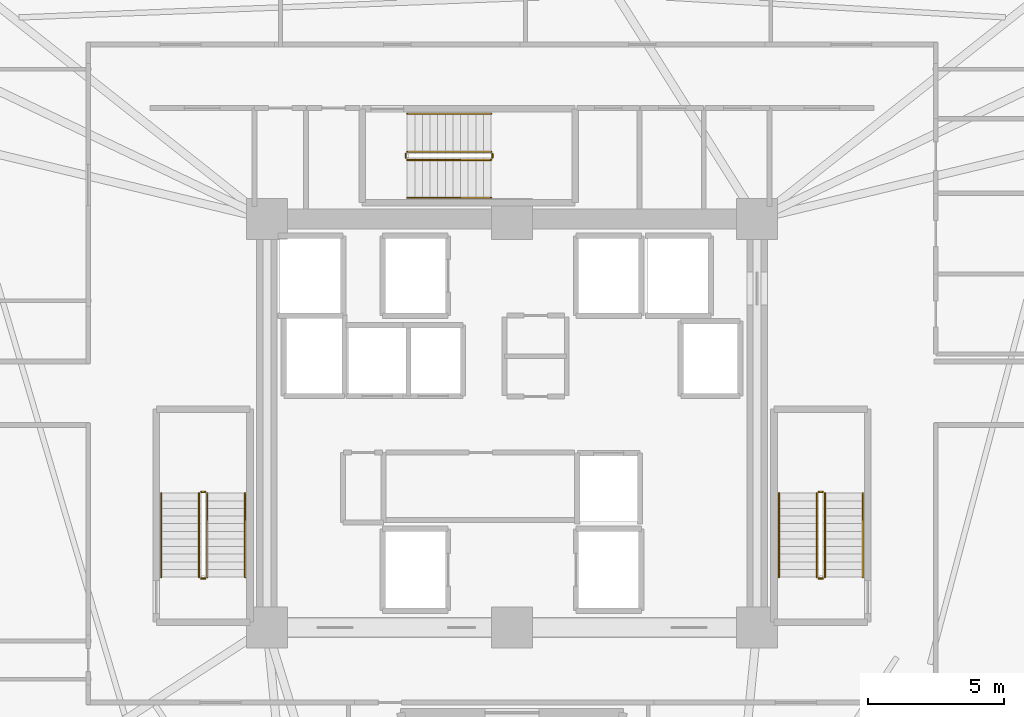
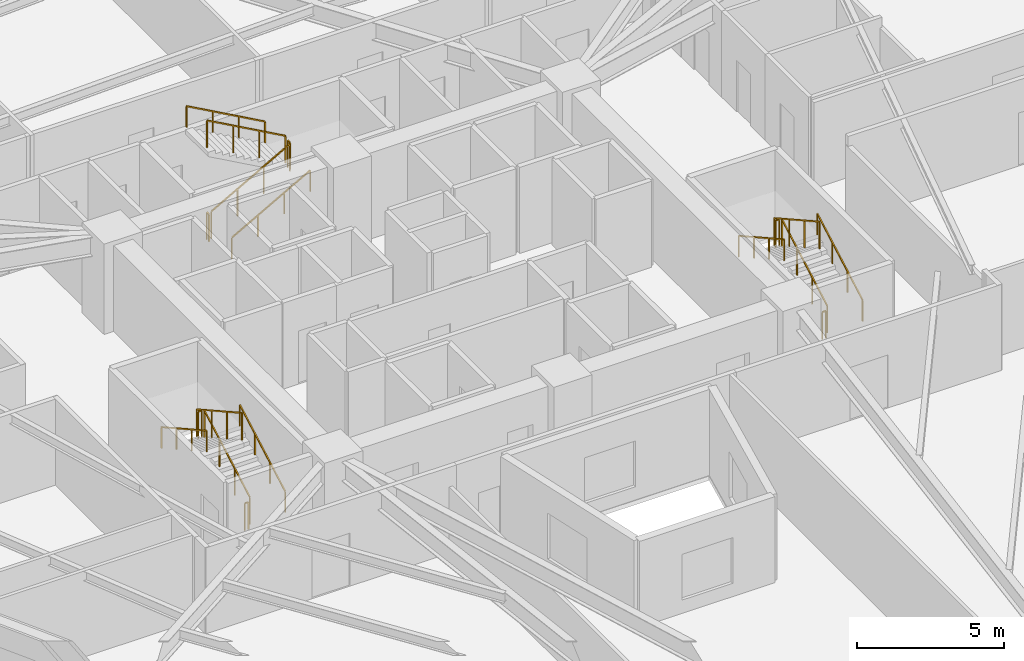
# One storey, part 9 of 9: 18 railings.
"""IFC4 building model written with IfcOpenShell, lengths in metres."""

import ifcopenshell
import ifcopenshell.guid

model = None  # the IFC model being written
_history = None  # IfcOwnerHistory: only IFC2X3 demands one
_inside = {}  # id of a spatial element -> (the spatial element, [elements in it])
_under = {}  # id of a project, library or spatial element -> (it, [spatial elements below it])
_declared = {}  # id of a project -> (the project, [libraries it declares])
_typed = {}  # id of a type object -> (the type object, [elements of that type])
_made_of = {}  # id of a material, layer set ... -> (it, [elements and type objects made of it])


def new_model(schema):
    """Start an empty IFC model of exactly this schema.

    Asked for "IFC4X3", IfcOpenShell would pick the latest addendum, in which some entities
    have other attributes; the version numbers below select the first issue.
    IFC2X3 requires an IfcOwnerHistory on every rooted entity: one is made here for all.
    """
    global model, _history
    if schema == "IFC4X3":
        model = ifcopenshell.file(schema_version=(4, 3, 0, 0))
    else:
        model = ifcopenshell.file(schema=schema)
    _inside.clear()
    _under.clear()
    _declared.clear()
    _typed.clear()
    _made_of.clear()
    _history = None
    if model.schema == "IFC2X3":
        org = make("IfcOrganization", Name="unknown")
        user = make(
            "IfcPersonAndOrganization",
            ThePerson=make("IfcPerson", FamilyName="unknown"),
            TheOrganization=org,
        )
        app = make(
            "IfcApplication",
            ApplicationDeveloper=org,
            Version="unknown",
            ApplicationFullName="unknown",
            ApplicationIdentifier="unknown",
        )
        _history = make(
            "IfcOwnerHistory",
            OwningUser=user,
            OwningApplication=app,
            ChangeAction="ADDED",
            CreationDate=0,
        )
    return model


def make(cls, **values):
    """One entity of the class cls with the attributes given. An attribute that is None is left unset."""
    return model.create_entity(
        cls, **{name: value for name, value in values.items() if value is not None}
    )


def rooted(cls, **values):
    """An entity with a GlobalId (a new one), such as an element, a storey or a relation."""
    return make(cls, GlobalId=ifcopenshell.guid.new(), OwnerHistory=_history, **values)


def si_unit(unit_type, name, prefix=None):
    """IfcSIUnit, for example si_unit("LENGTHUNIT", "METRE", prefix="MILLI")."""
    return make("IfcSIUnit", UnitType=unit_type, Prefix=prefix, Name=name)


def assignment(units):
    """IfcUnitAssignment: the units of a project."""
    return None if units is None else make("IfcUnitAssignment", Units=units)


def point(xyz):
    """IfcCartesianPoint."""
    return None if xyz is None else make("IfcCartesianPoint", Coordinates=xyz)


def direction(xyz):
    """IfcDirection."""
    return None if xyz is None else make("IfcDirection", DirectionRatios=xyz)


def frame(location, z_axis=None, x_axis=None):
    """IfcAxis2Placement3D, a coordinate frame: its origin and axes. An axis left out is left unset."""
    return make(
        "IfcAxis2Placement3D",
        Location=point(location),
        Axis=direction(z_axis),
        RefDirection=direction(x_axis),
    )


def frame_2d(location, x_axis=None):
    """IfcAxis2Placement2D, a coordinate frame in the plane: its origin and x axis."""
    return make(
        "IfcAxis2Placement2D", Location=point(location), RefDirection=direction(x_axis)
    )


def origin():
    """The frame at (0, 0, 0) with its axes left unset."""
    return frame((0.0, 0.0, 0.0))


def origin_2d():
    """The frame at (0, 0) in the plane with its x axis left unset."""
    return frame_2d((0.0, 0.0))


def place(relative_to, where):
    """IfcLocalPlacement: puts the frame where relative to a parent placement (None: the world)."""
    return make(
        "IfcLocalPlacement", PlacementRelTo=relative_to, RelativePlacement=where
    )


def context(
    kind, dimensions, precision=None, world=None, true_north=None, identifier=None
):
    """IfcGeometricRepresentationContext, for example the 3D "Model" context."""
    return make(
        "IfcGeometricRepresentationContext",
        ContextIdentifier=identifier,
        ContextType=kind,
        CoordinateSpaceDimension=dimensions,
        Precision=precision,
        WorldCoordinateSystem=world,
        TrueNorth=true_north,
    )


def subcontext(parent, identifier, kind, view, scale=None):
    """IfcGeometricRepresentationSubContext, for example "Body" below "Model"."""
    return make(
        "IfcGeometricRepresentationSubContext",
        ContextIdentifier=identifier,
        ContextType=kind,
        ParentContext=parent,
        TargetScale=scale,
        TargetView=view,
    )


def project(units=None, contexts=None):
    """IfcProject with its units and contexts."""
    return rooted(
        "IfcProject",
        Name="project",
        RepresentationContexts=contexts,
        UnitsInContext=assignment(units),
    )


def spatial(cls, under=None, at=None, **own):
    """A site, building, storey or space (cls), placed at a placement, below another one or the project."""
    s = rooted(cls, ObjectPlacement=at, **own)
    if under is not None:
        _under.setdefault(under.id(), (under, []))[1].append(s)
    return s


def profile(cls, at=None, kind="AREA", **sizes):
    """A parametric profile (cls). Its sizes go by their IFC names, for example OverallWidth=200.0."""
    return make(cls, ProfileType=kind, Position=at, **sizes)


def rectangle(**sizes):
    """IfcRectangleProfileDef."""
    return profile("IfcRectangleProfileDef", **sizes)


def extrude(swept, where, along, depth):
    """IfcExtrudedAreaSolid: the profile swept, set in the frame where, extruded along a direction by depth."""
    return make(
        "IfcExtrudedAreaSolid",
        SweptArea=swept,
        Position=where,
        ExtrudedDirection=direction(along),
        Depth=depth,
    )


def shape(context_of_items, identifier, shape_type, items):
    """IfcShapeRepresentation: the items that make up one representation, for example the "Body"."""
    return make(
        "IfcShapeRepresentation",
        ContextOfItems=context_of_items,
        RepresentationIdentifier=identifier,
        RepresentationType=shape_type,
        Items=items,
    )


def material(Name=None, Category=None):
    """IfcMaterial."""
    return make("IfcMaterial", Name=Name, Category=Category)


def made_of(thing, what):
    """Note that an element or type object is made of a material, layer set ...; save() writes the relation."""
    if what is not None:
        _made_of.setdefault(what.id(), (what, []))[1].append(thing)
    return thing


def type_object(cls, material=None, **own):
    """A type object (cls), such as IfcWallType, which elements share."""
    return made_of(rooted(cls, **own), material)


def element(
    cls,
    number,
    at=None,
    inside=None,
    cuts=None,
    type_object=None,
    material=None,
    context=None,
    identifier="Body",
    shape_type=None,
    held_by="IfcProductDefinitionShape",
    body=None,
    shapes=None,
    **own,
):
    """One element of the class cls, such as IfcWall. Its Tag is "e" and its number.

    at: its placement. inside: the storey or other place that contains it. cuts: it is an
    opening in that element (IfcRelVoidsElement). A single representation is given by context,
    identifier, shape_type and body (its items); several are given by shapes. held_by: the class
    of the entity that holds the representations. save() writes the other relations.
    """
    e = rooted(cls, Tag="e%d" % number, ObjectPlacement=at, **own)
    if body is not None:
        shapes = [shape(context, identifier, shape_type, body)]
    if shapes is not None:
        e.Representation = make(held_by, Representations=shapes)
    if inside is not None:
        _inside.setdefault(inside.id(), (inside, []))[1].append(e)
    if cuts is not None:
        rooted(
            "IfcRelVoidsElement", RelatingBuildingElement=cuts, RelatedOpeningElement=e
        )
    if type_object is not None:
        _typed.setdefault(type_object.id(), (type_object, []))[1].append(e)
    return made_of(e, material)


def aggregate(whole, parts):
    """IfcRelAggregates: a whole, such as a stair, and the parts it consists of."""
    return rooted("IfcRelAggregates", RelatingObject=whole, RelatedObjects=parts)


def save(model, path):
    """Write the relations noted so far, then the file.

    IfcRelAggregates (storeys below a building ...), IfcRelContainedInSpatialStructure (elements
    in a storey), IfcRelDefinesByType, IfcRelAssociatesMaterial and IfcRelDeclares: one each for
    every whole, place, type object, material and project.
    """
    for whole, parts in _under.values():
        aggregate(whole, parts)
    for where, things in _inside.values():
        rooted(
            "IfcRelContainedInSpatialStructure",
            RelatedElements=things,
            RelatingStructure=where,
        )
    for kind, things in _typed.values():
        rooted("IfcRelDefinesByType", RelatedObjects=things, RelatingType=kind)
    for what, things in _made_of.values():
        rooted("IfcRelAssociatesMaterial", RelatedObjects=things, RelatingMaterial=what)
    for by, libraries in _declared.values():
        rooted("IfcRelDeclares", RelatingContext=by, RelatedDefinitions=libraries)
    model.write(path)


model = new_model("IFC4")

# Units and contexts
model_context = context("Model", 3, precision=1e-05, world=origin(), true_north=direction((0.0, 1.0)))
body_context = subcontext(model_context, "Body", "Model", "MODEL_VIEW")
ifc_project = project(units=[si_unit("LENGTHUNIT", "METRE"), si_unit("AREAUNIT", "SQUARE_METRE"), si_unit("VOLUMEUNIT", "CUBIC_METRE"), si_unit("PLANEANGLEUNIT", "RADIAN"), si_unit("MASSUNIT", "GRAM", prefix="KILO")], contexts=[model_context])

# Site, building, storey
site_placement = place(None, origin())
site = spatial("IfcSite", under=ifc_project, at=site_placement, CompositionType="ELEMENT")
building_placement = place(site_placement, origin())
building = spatial("IfcBuilding", under=site, at=building_placement, Name="Liaohun Quay Tower", CompositionType="ELEMENT")
storey_placement = place(building_placement, frame((0.0, 0.0, 128.25)))
storey = spatial("IfcBuildingStorey", under=building, at=storey_placement, Name="L33", CompositionType="ELEMENT", Elevation=128.25)

# Railings
ifc_material_1 = material(Name="Painted tubular steel", Category="steel")
railing_type_1 = type_object("IfcRailingType", Name="RLG-GUARD-STR", PredefinedType="GUARDRAIL", material=ifc_material_1)
railing_1_placement = place(storey_placement, frame((48.81005859375, 48.35009765625, 0.15625)))
element("IfcRailing", 1, at=railing_1_placement, inside=storey, type_object=railing_type_1, Name="L33 ST-1 stair guard 1", PredefinedType="GUARDRAIL", context=body_context, shape_type="SweptSolid", body=[
    extrude(rectangle(XDim=0.048095703125, YDim=0.048095703125, at=origin_2d()), frame((0.0, 0.0, 1.1259765625), z_axis=(0.0, 0.873225103656, 0.487317061414), x_axis=(-1.0, 0.0, 0.0)), (0.0, 0.0, 1.0), 3.52685546875),
    extrude(rectangle(XDim=0.0419921875, YDim=0.0419921875, at=origin_2d()), origin(), (0.0, 0.0, 1.0), 1.101806640625),
    extrude(rectangle(XDim=0.0419921875, YDim=0.0419921875, at=origin_2d()), frame((0.0, 1.026611328125, 0.572998046875)), (0.0, 0.0, 1.0), 1.101806640625),
    extrude(rectangle(XDim=0.0419921875, YDim=0.0419921875, at=origin_2d()), frame((0.0, 2.05322265625, 1.145751953125)), (0.0, 0.0, 1.0), 1.101806640625),
    extrude(rectangle(XDim=0.0419921875, YDim=0.0419921875, at=origin_2d()), frame((0.0, 3.079833984375, 1.71875)), (0.0, 0.0, 1.0), 1.101806640625),
])
railing_2_placement = place(storey_placement, frame((48.72998046875, 51.47998046875, 1.875)))
element("IfcRailing", 2, at=railing_2_placement, inside=storey, type_object=railing_type_1, Name="L33 ST-1 stair guard 2", PredefinedType="GUARDRAIL", context=body_context, shape_type="SweptSolid", body=[
    extrude(rectangle(XDim=0.048095703125, YDim=0.048095703125, at=origin_2d()), frame((0.0, 0.0, 1.1259765625), z_axis=(-1.0, 0.0, 0.0), x_axis=(0.0, -1.0, 0.0)), (0.0, 0.0, 1.0), 0.139892578125),
    extrude(rectangle(XDim=0.0419921875, YDim=0.0419921875, at=origin_2d()), origin(), (0.0, 0.0, 1.0), 1.101806640625),
    extrude(rectangle(XDim=0.0419921875, YDim=0.0419921875, at=origin_2d()), frame((-0.139892578125, 0.0, 0.0)), (0.0, 0.0, 1.0), 1.101806640625),
])
railing_3_placement = place(storey_placement, frame((48.510009765625, 51.429931640625, 2.03125)))
element("IfcRailing", 3, at=railing_3_placement, inside=storey, type_object=railing_type_1, Name="L33 ST-1 stair guard 3", PredefinedType="GUARDRAIL", context=body_context, shape_type="SweptSolid", body=[
    extrude(rectangle(XDim=0.048095703125, YDim=0.048095703125, at=origin_2d()), frame((0.0, 0.0, 1.1259765625), z_axis=(0.0, -0.873225103656, 0.487317061414), x_axis=(1.0, 0.0, 0.0)), (0.0, 0.0, 1.0), 3.52685546875),
    extrude(rectangle(XDim=0.0419921875, YDim=0.0419921875, at=origin_2d()), origin(), (0.0, 0.0, 1.0), 1.101806640625),
    extrude(rectangle(XDim=0.0419921875, YDim=0.0419921875, at=origin_2d()), frame((0.0, -1.026611328125, 0.572998046875)), (0.0, 0.0, 1.0), 1.101806640625),
    extrude(rectangle(XDim=0.0419921875, YDim=0.0419921875, at=origin_2d()), frame((0.0, -2.05322265625, 1.145751953125)), (0.0, 0.0, 1.0), 1.101806640625),
    extrude(rectangle(XDim=0.0419921875, YDim=0.0419921875, at=origin_2d()), frame((0.0, -3.079833984375, 1.71875)), (0.0, 0.0, 1.0), 1.101806640625),
])
railing_4_placement = place(storey_placement, frame((48.72998046875, 48.300048828125, 0.0)))
element("IfcRailing", 4, at=railing_4_placement, inside=storey, type_object=railing_type_1, Name="L33 ST-1 stair guard 4", PredefinedType="GUARDRAIL", context=body_context, shape_type="SweptSolid", body=[
    extrude(rectangle(XDim=0.048095703125, YDim=0.048095703125, at=origin_2d()), frame((0.0, 0.0, 1.1259765625), z_axis=(-1.0, 0.0, 0.0), x_axis=(0.0, -1.0, 0.0)), (0.0, 0.0, 1.0), 0.139892578125),
    extrude(rectangle(XDim=0.0419921875, YDim=0.0419921875, at=origin_2d()), origin(), (0.0, 0.0, 1.0), 1.101806640625),
    extrude(rectangle(XDim=0.0419921875, YDim=0.0419921875, at=origin_2d()), frame((-0.139892578125, 0.0, 0.0)), (0.0, 0.0, 1.0), 1.101806640625),
])
railing_5_placement = place(storey_placement, frame((71.489990234375, 48.35009765625, 0.15625)))
element("IfcRailing", 5, at=railing_5_placement, inside=storey, type_object=railing_type_1, Name="L33 ST-2 stair guard 1", PredefinedType="GUARDRAIL", context=body_context, shape_type="SweptSolid", body=[
    extrude(rectangle(XDim=0.048095703125, YDim=0.048095703125, at=origin_2d()), frame((0.0, 0.0, 1.1259765625), z_axis=(0.0, 0.873225103656, 0.487317061414), x_axis=(-1.0, 0.0, 0.0)), (0.0, 0.0, 1.0), 3.52685546875),
    extrude(rectangle(XDim=0.0419921875, YDim=0.0419921875, at=origin_2d()), origin(), (0.0, 0.0, 1.0), 1.101806640625),
    extrude(rectangle(XDim=0.0419921875, YDim=0.0419921875, at=origin_2d()), frame((0.0, 1.026611328125, 0.572998046875)), (0.0, 0.0, 1.0), 1.101806640625),
    extrude(rectangle(XDim=0.0419921875, YDim=0.0419921875, at=origin_2d()), frame((0.0, 2.05322265625, 1.145751953125)), (0.0, 0.0, 1.0), 1.101806640625),
    extrude(rectangle(XDim=0.0419921875, YDim=0.0419921875, at=origin_2d()), frame((0.0, 3.079833984375, 1.71875)), (0.0, 0.0, 1.0), 1.101806640625),
])
railing_6_placement = place(storey_placement, frame((71.409912109375, 51.47998046875, 1.875)))
element("IfcRailing", 6, at=railing_6_placement, inside=storey, type_object=railing_type_1, Name="L33 ST-2 stair guard 2", PredefinedType="GUARDRAIL", context=body_context, shape_type="SweptSolid", body=[
    extrude(rectangle(XDim=0.048095703125, YDim=0.048095703125, at=origin_2d()), frame((0.0, 0.0, 1.1259765625), z_axis=(-1.0, 0.0, 0.0), x_axis=(0.0, -1.0, 0.0)), (0.0, 0.0, 1.0), 0.139892578125),
    extrude(rectangle(XDim=0.0419921875, YDim=0.0419921875, at=origin_2d()), origin(), (0.0, 0.0, 1.0), 1.101806640625),
    extrude(rectangle(XDim=0.0419921875, YDim=0.0419921875, at=origin_2d()), frame((-0.139892578125, 0.0, 0.0)), (0.0, 0.0, 1.0), 1.101806640625),
])
railing_7_placement = place(storey_placement, frame((71.18994140625, 51.429931640625, 2.03125)))
element("IfcRailing", 7, at=railing_7_placement, inside=storey, type_object=railing_type_1, Name="L33 ST-2 stair guard 3", PredefinedType="GUARDRAIL", context=body_context, shape_type="SweptSolid", body=[
    extrude(rectangle(XDim=0.048095703125, YDim=0.048095703125, at=origin_2d()), frame((0.0, 0.0, 1.1259765625), z_axis=(0.0, -0.873225103656, 0.487317061414), x_axis=(1.0, 0.0, 0.0)), (0.0, 0.0, 1.0), 3.52685546875),
    extrude(rectangle(XDim=0.0419921875, YDim=0.0419921875, at=origin_2d()), origin(), (0.0, 0.0, 1.0), 1.101806640625),
    extrude(rectangle(XDim=0.0419921875, YDim=0.0419921875, at=origin_2d()), frame((0.0, -1.026611328125, 0.572998046875)), (0.0, 0.0, 1.0), 1.101806640625),
    extrude(rectangle(XDim=0.0419921875, YDim=0.0419921875, at=origin_2d()), frame((0.0, -2.05322265625, 1.145751953125)), (0.0, 0.0, 1.0), 1.101806640625),
    extrude(rectangle(XDim=0.0419921875, YDim=0.0419921875, at=origin_2d()), frame((0.0, -3.079833984375, 1.71875)), (0.0, 0.0, 1.0), 1.101806640625),
])
railing_8_placement = place(storey_placement, frame((71.409912109375, 48.300048828125, 0.0)))
element("IfcRailing", 8, at=railing_8_placement, inside=storey, type_object=railing_type_1, Name="L33 ST-2 stair guard 4", PredefinedType="GUARDRAIL", context=body_context, shape_type="SweptSolid", body=[
    extrude(rectangle(XDim=0.048095703125, YDim=0.048095703125, at=origin_2d()), frame((0.0, 0.0, 1.1259765625), z_axis=(-1.0, 0.0, 0.0), x_axis=(0.0, -1.0, 0.0)), (0.0, 0.0, 1.0), 0.139892578125),
    extrude(rectangle(XDim=0.0419921875, YDim=0.0419921875, at=origin_2d()), origin(), (0.0, 0.0, 1.0), 1.101806640625),
    extrude(rectangle(XDim=0.0419921875, YDim=0.0419921875, at=origin_2d()), frame((-0.139892578125, 0.0, 0.0)), (0.0, 0.0, 1.0), 1.101806640625),
])
railing_9_placement = place(storey_placement, frame((56.14990234375, 63.669921875, 0.15625)))
element("IfcRailing", 9, at=railing_9_placement, inside=storey, type_object=railing_type_1, Name="L33 ST-3 stair guard 1", PredefinedType="GUARDRAIL", context=body_context, shape_type="SweptSolid", body=[
    extrude(rectangle(XDim=0.048095703125, YDim=0.048095703125, at=origin_2d()), frame((0.0, 0.0, 1.1259765625), z_axis=(0.873241540666, 0.0, 0.487287606713), x_axis=(0.0, 1.0, 0.0)), (0.0, 0.0, 1.0), 3.527099609375),
    extrude(rectangle(XDim=0.0419921875, YDim=0.0419921875, at=origin_2d()), origin(), (0.0, 0.0, 1.0), 1.101806640625),
    extrude(rectangle(XDim=0.0419921875, YDim=0.0419921875, at=origin_2d()), frame((1.026611328125, 0.0, 0.572998046875)), (0.0, 0.0, 1.0), 1.101806640625),
    extrude(rectangle(XDim=0.0419921875, YDim=0.0419921875, at=origin_2d()), frame((2.053466796875, 0.0, 1.145751953125)), (0.0, 0.0, 1.0), 1.101806640625),
    extrude(rectangle(XDim=0.0419921875, YDim=0.0419921875, at=origin_2d()), frame((3.080078125, 0.0, 1.71875)), (0.0, 0.0, 1.0), 1.101806640625),
])
railing_10_placement = place(storey_placement, frame((59.280029296875, 63.75, 1.875)))
element("IfcRailing", 10, at=railing_10_placement, inside=storey, type_object=railing_type_1, Name="L33 ST-3 stair guard 2", PredefinedType="GUARDRAIL", context=body_context, shape_type="SweptSolid", body=[
    extrude(rectangle(XDim=0.048095703125, YDim=0.048095703125, at=origin_2d()), frame((0.0, 0.0, 1.1259765625), z_axis=(0.0, 1.0, 0.0), x_axis=(-1.0, 0.0, 0.0)), (0.0, 0.0, 1.0), 0.139892578125),
    extrude(rectangle(XDim=0.0419921875, YDim=0.0419921875, at=origin_2d()), origin(), (0.0, 0.0, 1.0), 1.101806640625),
    extrude(rectangle(XDim=0.0419921875, YDim=0.0419921875, at=origin_2d()), frame((0.0, 0.139892578125, 0.0)), (0.0, 0.0, 1.0), 1.101806640625),
])
railing_11_placement = place(storey_placement, frame((59.22998046875, 63.969970703125, 2.03125)))
element("IfcRailing", 11, at=railing_11_placement, inside=storey, type_object=railing_type_1, Name="L33 ST-3 stair guard 3", PredefinedType="GUARDRAIL", context=body_context, shape_type="SweptSolid", body=[
    extrude(rectangle(XDim=0.048095703125, YDim=0.048095703125, at=origin_2d()), frame((0.0, 0.0, 1.1259765625), z_axis=(-0.873241540666, 0.0, 0.487287606713), x_axis=(0.0, -1.0, 0.0)), (0.0, 0.0, 1.0), 3.527099609375),
    extrude(rectangle(XDim=0.0419921875, YDim=0.0419921875, at=origin_2d()), origin(), (0.0, 0.0, 1.0), 1.101806640625),
    extrude(rectangle(XDim=0.0419921875, YDim=0.0419921875, at=origin_2d()), frame((-1.026611328125, 0.0, 0.572998046875)), (0.0, 0.0, 1.0), 1.101806640625),
    extrude(rectangle(XDim=0.0419921875, YDim=0.0419921875, at=origin_2d()), frame((-2.053466796875, 0.0, 1.145751953125)), (0.0, 0.0, 1.0), 1.101806640625),
    extrude(rectangle(XDim=0.0419921875, YDim=0.0419921875, at=origin_2d()), frame((-3.080078125, 0.0, 1.71875)), (0.0, 0.0, 1.0), 1.101806640625),
])
railing_12_placement = place(storey_placement, frame((56.10009765625, 63.75, 0.0)))
element("IfcRailing", 12, at=railing_12_placement, inside=storey, type_object=railing_type_1, Name="L33 ST-3 stair guard 4", PredefinedType="GUARDRAIL", context=body_context, shape_type="SweptSolid", body=[
    extrude(rectangle(XDim=0.048095703125, YDim=0.048095703125, at=origin_2d()), frame((0.0, 0.0, 1.1259765625), z_axis=(0.0, 1.0, 0.0), x_axis=(-1.0, 0.0, 0.0)), (0.0, 0.0, 1.0), 0.139892578125),
    extrude(rectangle(XDim=0.0419921875, YDim=0.0419921875, at=origin_2d()), origin(), (0.0, 0.0, 1.0), 1.101806640625),
    extrude(rectangle(XDim=0.0419921875, YDim=0.0419921875, at=origin_2d()), frame((0.0, 0.139892578125, 0.0)), (0.0, 0.0, 1.0), 1.101806640625),
])
ifc_material_2 = material(Name="Brushed stainless steel", Category="steel")
railing_type_2 = type_object("IfcRailingType", Name="RLG-HND-STR", PredefinedType="HANDRAIL", material=ifc_material_2)
railing_13_placement = place(storey_placement, frame((50.199951171875, 48.35009765625, 0.15625)))
element("IfcRailing", 13, at=railing_13_placement, inside=storey, type_object=railing_type_2, Name="L33 ST-1 stair handrail 1", PredefinedType="HANDRAIL", context=body_context, shape_type="SweptSolid", body=[
    extrude(rectangle(XDim=0.048095703125, YDim=0.048095703125, at=origin_2d()), frame((0.0, 0.0, 0.8759765625), z_axis=(0.0, 0.873225103656, 0.487317061414), x_axis=(-1.0, 0.0, 0.0)), (0.0, 0.0, 1.0), 3.52685546875),
    extrude(rectangle(XDim=0.0419921875, YDim=0.0419921875, at=origin_2d()), origin(), (0.0, 0.0, 1.0), 0.851806640625),
    extrude(rectangle(XDim=0.0419921875, YDim=0.0419921875, at=origin_2d()), frame((0.0, 1.026611328125, 0.572998046875)), (0.0, 0.0, 1.0), 0.851806640625),
    extrude(rectangle(XDim=0.0419921875, YDim=0.0419921875, at=origin_2d()), frame((0.0, 2.05322265625, 1.145751953125)), (0.0, 0.0, 1.0), 0.851806640625),
    extrude(rectangle(XDim=0.0419921875, YDim=0.0419921875, at=origin_2d()), frame((0.0, 3.079833984375, 1.71875)), (0.0, 0.0, 1.0), 0.851806640625),
])
railing_14_placement = place(storey_placement, frame((47.1201171875, 51.429931640625, 2.03125)))
element("IfcRailing", 14, at=railing_14_placement, inside=storey, type_object=railing_type_2, Name="L33 ST-1 stair handrail 2", PredefinedType="HANDRAIL", context=body_context, shape_type="SweptSolid", body=[
    extrude(rectangle(XDim=0.048095703125, YDim=0.048095703125, at=origin_2d()), frame((0.0, 0.0, 0.8759765625), z_axis=(0.0, -0.873225103656, 0.487317061414), x_axis=(1.0, 0.0, 0.0)), (0.0, 0.0, 1.0), 3.52685546875),
    extrude(rectangle(XDim=0.0419921875, YDim=0.0419921875, at=origin_2d()), origin(), (0.0, 0.0, 1.0), 0.851806640625),
    extrude(rectangle(XDim=0.0419921875, YDim=0.0419921875, at=origin_2d()), frame((0.0, -1.026611328125, 0.572998046875)), (0.0, 0.0, 1.0), 0.851806640625),
    extrude(rectangle(XDim=0.0419921875, YDim=0.0419921875, at=origin_2d()), frame((0.0, -2.05322265625, 1.145751953125)), (0.0, 0.0, 1.0), 0.851806640625),
    extrude(rectangle(XDim=0.0419921875, YDim=0.0419921875, at=origin_2d()), frame((0.0, -3.079833984375, 1.71875)), (0.0, 0.0, 1.0), 0.851806640625),
])
railing_15_placement = place(storey_placement, frame((72.8798828125, 48.35009765625, 0.15625)))
element("IfcRailing", 15, at=railing_15_placement, inside=storey, type_object=railing_type_2, Name="L33 ST-2 stair handrail 1", PredefinedType="HANDRAIL", context=body_context, shape_type="SweptSolid", body=[
    extrude(rectangle(XDim=0.048095703125, YDim=0.048095703125, at=origin_2d()), frame((0.0, 0.0, 0.8759765625), z_axis=(0.0, 0.873225103656, 0.487317061414), x_axis=(-1.0, 0.0, 0.0)), (0.0, 0.0, 1.0), 3.52685546875),
    extrude(rectangle(XDim=0.0419921875, YDim=0.0419921875, at=origin_2d()), origin(), (0.0, 0.0, 1.0), 0.851806640625),
    extrude(rectangle(XDim=0.0419921875, YDim=0.0419921875, at=origin_2d()), frame((0.0, 1.026611328125, 0.572998046875)), (0.0, 0.0, 1.0), 0.851806640625),
    extrude(rectangle(XDim=0.0419921875, YDim=0.0419921875, at=origin_2d()), frame((0.0, 2.05322265625, 1.145751953125)), (0.0, 0.0, 1.0), 0.851806640625),
    extrude(rectangle(XDim=0.0419921875, YDim=0.0419921875, at=origin_2d()), frame((0.0, 3.079833984375, 1.71875)), (0.0, 0.0, 1.0), 0.851806640625),
])
railing_16_placement = place(storey_placement, frame((69.800048828125, 51.429931640625, 2.03125)))
element("IfcRailing", 16, at=railing_16_placement, inside=storey, type_object=railing_type_2, Name="L33 ST-2 stair handrail 2", PredefinedType="HANDRAIL", context=body_context, shape_type="SweptSolid", body=[
    extrude(rectangle(XDim=0.048095703125, YDim=0.048095703125, at=origin_2d()), frame((0.0, 0.0, 0.8759765625), z_axis=(0.0, -0.873225103656, 0.487317061414), x_axis=(1.0, 0.0, 0.0)), (0.0, 0.0, 1.0), 3.52685546875),
    extrude(rectangle(XDim=0.0419921875, YDim=0.0419921875, at=origin_2d()), origin(), (0.0, 0.0, 1.0), 0.851806640625),
    extrude(rectangle(XDim=0.0419921875, YDim=0.0419921875, at=origin_2d()), frame((0.0, -1.026611328125, 0.572998046875)), (0.0, 0.0, 1.0), 0.851806640625),
    extrude(rectangle(XDim=0.0419921875, YDim=0.0419921875, at=origin_2d()), frame((0.0, -2.05322265625, 1.145751953125)), (0.0, 0.0, 1.0), 0.851806640625),
    extrude(rectangle(XDim=0.0419921875, YDim=0.0419921875, at=origin_2d()), frame((0.0, -3.079833984375, 1.71875)), (0.0, 0.0, 1.0), 0.851806640625),
])
railing_17_placement = place(storey_placement, frame((56.14990234375, 62.280029296875, 0.15625)))
element("IfcRailing", 17, at=railing_17_placement, inside=storey, type_object=railing_type_2, Name="L33 ST-3 stair handrail 1", PredefinedType="HANDRAIL", context=body_context, shape_type="SweptSolid", body=[
    extrude(rectangle(XDim=0.048095703125, YDim=0.048095703125, at=origin_2d()), frame((0.0, 0.0, 0.8759765625), z_axis=(0.873241540666, 0.0, 0.487287606713), x_axis=(0.0, 1.0, 0.0)), (0.0, 0.0, 1.0), 3.527099609375),
    extrude(rectangle(XDim=0.0419921875, YDim=0.0419921875, at=origin_2d()), origin(), (0.0, 0.0, 1.0), 0.851806640625),
    extrude(rectangle(XDim=0.0419921875, YDim=0.0419921875, at=origin_2d()), frame((1.026611328125, 0.0, 0.572998046875)), (0.0, 0.0, 1.0), 0.851806640625),
    extrude(rectangle(XDim=0.0419921875, YDim=0.0419921875, at=origin_2d()), frame((2.053466796875, 0.0, 1.145751953125)), (0.0, 0.0, 1.0), 0.851806640625),
    extrude(rectangle(XDim=0.0419921875, YDim=0.0419921875, at=origin_2d()), frame((3.080078125, 0.0, 1.71875)), (0.0, 0.0, 1.0), 0.851806640625),
])
railing_18_placement = place(storey_placement, frame((59.22998046875, 65.360107421875, 2.03125)))
element("IfcRailing", 18, at=railing_18_placement, inside=storey, type_object=railing_type_2, Name="L33 ST-3 stair handrail 2", PredefinedType="HANDRAIL", context=body_context, shape_type="SweptSolid", body=[
    extrude(rectangle(XDim=0.048095703125, YDim=0.048095703125, at=origin_2d()), frame((0.0, 0.0, 0.8759765625), z_axis=(-0.873241540666, 0.0, 0.487287606713), x_axis=(0.0, -1.0, 0.0)), (0.0, 0.0, 1.0), 3.527099609375),
    extrude(rectangle(XDim=0.0419921875, YDim=0.0419921875, at=origin_2d()), origin(), (0.0, 0.0, 1.0), 0.851806640625),
    extrude(rectangle(XDim=0.0419921875, YDim=0.0419921875, at=origin_2d()), frame((-1.026611328125, 0.0, 0.572998046875)), (0.0, 0.0, 1.0), 0.851806640625),
    extrude(rectangle(XDim=0.0419921875, YDim=0.0419921875, at=origin_2d()), frame((-2.053466796875, 0.0, 1.145751953125)), (0.0, 0.0, 1.0), 0.851806640625),
    extrude(rectangle(XDim=0.0419921875, YDim=0.0419921875, at=origin_2d()), frame((-3.080078125, 0.0, 1.71875)), (0.0, 0.0, 1.0), 0.851806640625),
])

save(model, "model.ifc")
